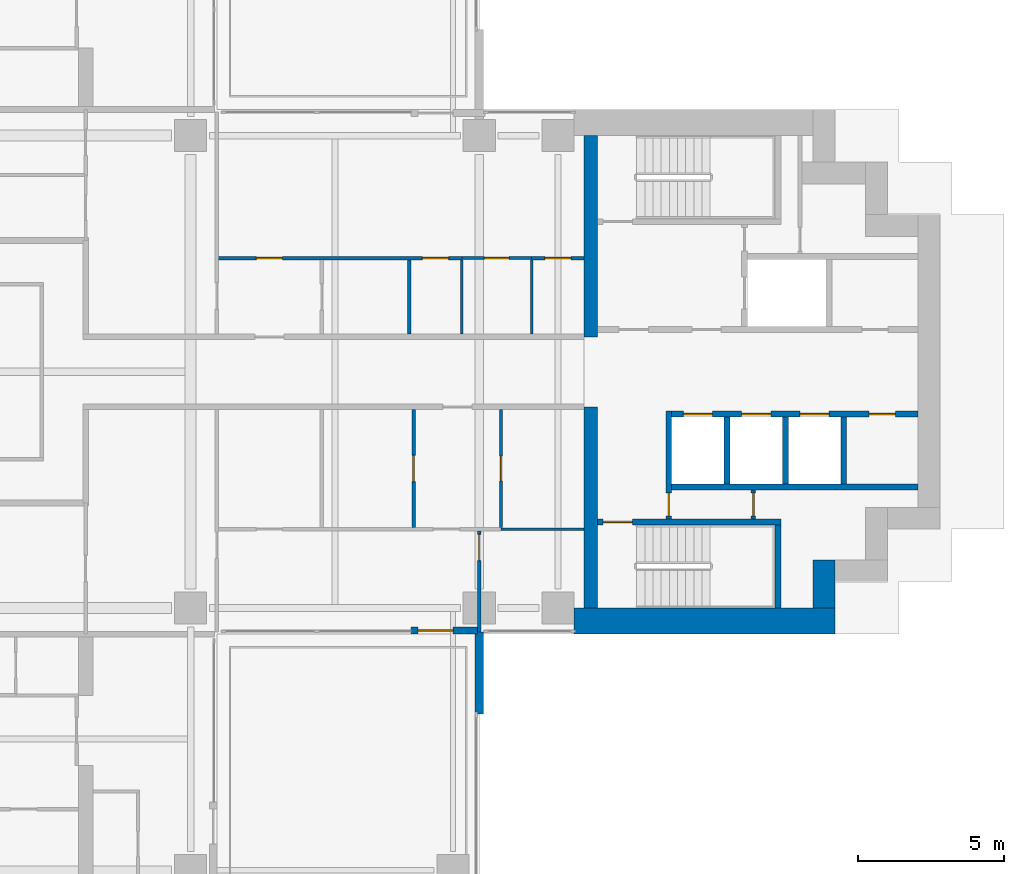
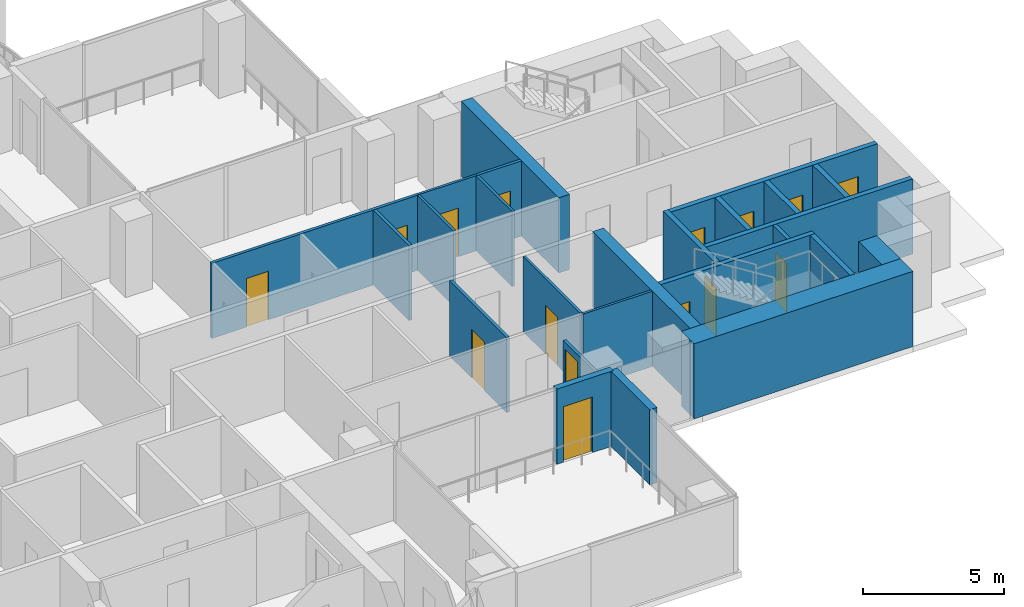
# One storey, part 13 of 20: 25 walls, 15 doors, 15 openings.
"""IFC4 building model written with IfcOpenShell, lengths in metres."""

from ifc_helpers import new_model, si_unit, direction, frame, frame_2d, origin, place, context, subcontext, project, spatial, rectangle, extrude, material, layer, layer_set, type_object, element, fill, save


model = new_model("IFC4")

# Units and contexts
model_context = context("Model", 3, precision=1e-05, world=origin(), true_north=direction((0.0, 1.0)))
body_context = subcontext(model_context, "Body", "Model", "MODEL_VIEW")
ifc_project = project(units=[si_unit("LENGTHUNIT", "METRE"), si_unit("AREAUNIT", "SQUARE_METRE"), si_unit("VOLUMEUNIT", "CUBIC_METRE"), si_unit("PLANEANGLEUNIT", "RADIAN"), si_unit("MASSUNIT", "GRAM", prefix="KILO")], contexts=[model_context])

# Site, building, storey
site_placement = place(None, origin())
site = spatial("IfcSite", under=ifc_project, at=site_placement, CompositionType="ELEMENT")
building_placement = place(site_placement, origin())
building = spatial("IfcBuilding", under=site, at=building_placement, Name="Perihelion Cross Residences", CompositionType="ELEMENT")
storey_placement = place(building_placement, frame((0.0, 0.0, 102.39990234375)))
storey = spatial("IfcBuildingStorey", under=building, at=storey_placement, Name="L23", CompositionType="ELEMENT", Elevation=102.39990234375)

# Wall, opening, door
ifc_material_1 = material(Name="Concrete C30/37, bronze-clad", Category="concrete")
ifc_layer_1 = layer(ifc_material_1, 0.25)
ifc_layer_set_1 = layer_set([ifc_layer_1], Name="Bronze-clad pier wall 250")
wall_type_1 = type_object("IfcWallType", Name="Bronze-clad pier wall 250", PredefinedType="SOLIDWALL", material=ifc_layer_set_1)
wall_1_placement = place(storey_placement, frame((15.64990234375, -8.875, 0.0), z_axis=(0.0, 0.0, 1.0), x_axis=(1.0, 0.0, 0.0)))
wall_1 = element("IfcWall", 1, at=wall_1_placement, inside=storey, type_object=wall_type_1, Name="Wall FW1 L23 east side south bay 1 pier", PredefinedType="SOLIDWALL", context=body_context, shape_type="SweptSolid", body=[
    extrude(rectangle(XDim=2.2900390625, YDim=0.25, at=frame_2d((1.14501953125, 0.0))), origin(), (0.0, 0.0, 1.0), 3.25),
])
opening_1_placement = place(wall_1_placement, frame((0.25, 0.0, 0.0)))
opening_1 = element("IfcOpeningElement", 2, at=opening_1_placement, cuts=wall_1, Name="Opening L23.E14", PredefinedType="OPENING", context=body_context, shape_type="SweptSolid", body=[
    extrude(rectangle(XDim=1.199951171875, YDim=2.39990234375, at=frame_2d((0.60009765625, 1.199951171875))), frame((0.0, 0.135009765625, 0.0), z_axis=(0.0, -1.0, 0.0), x_axis=(1.0, 0.0, 0.0)), (0.0, 0.0, 1.0), 0.27001953125),
])
ifc_material_2 = material(Name="Bronze anodised aluminium, glazed", Category="aluminium")
door_type_1 = type_object("IfcDoorType", Name="Balcony door 1200 x 2400", OperationType="NOTDEFINED", PredefinedType="DOOR", material=ifc_material_2)
door_1_placement = place(opening_1_placement, origin())
door_1 = element("IfcDoor", 3, at=door_1_placement, inside=storey, type_object=door_type_1, Name="Door L23.E14 east side south bay 1", OperationType="SINGLE_SWING_LEFT", OverallHeight=2.39990234375, OverallWidth=1.199951171875, PredefinedType="DOOR", context=body_context, shape_type="SweptSolid", body=[
    extrude(rectangle(XDim=1.199951171875, YDim=2.39990234375, at=frame_2d((0.60009765625, 1.199951171875))), frame((0.0, 0.02490234375, 0.0), z_axis=(0.0, -1.0, 0.0), x_axis=(1.0, 0.0, 0.0)), (0.0, 0.0, 1.0), 0.050048828125),
])
fill(opening_1, door_1)

# Walls
ifc_material_3 = material(Name="Concrete C60/75", Category="concrete")
ifc_layer_2 = layer(ifc_material_3, 0.449951171875)
ifc_layer_set_2 = layer_set([ifc_layer_2], Name="Core wall, inner 450")
wall_type_2 = type_object("IfcWallType", Name="Core wall, inner 450", PredefinedType="SHEAR", material=ifc_layer_set_2)
for number, where, z_axis, x_axis, name in (
    (4, (21.824951171875, -8.10009765625, 0.0), (0.0, 0.0, 1.0), (0.0, 1.0, 0.0), "East core core wall, inner"),
    (5, (21.824951171875, 1.199951171875, 0.0), (0.0, 0.0, 1.0), (0.0, 1.0, 0.0), "East core core wall, inner"),
):
    element("IfcWall", number, at=place(storey_placement, frame(where, z_axis=z_axis, x_axis=x_axis)), inside=storey, type_object=wall_type_2, Name=name, PredefinedType="SHEAR", context=body_context, shape_type="SweptSolid", body=[
        extrude(rectangle(XDim=6.900146484375, YDim=0.449951171875, at=frame_2d((3.4501953125, 0.0))), origin(), (0.0, 0.0, 1.0), 3.25),
    ])
ifc_material_4 = material(Name="Concrete C60/75", Category="concrete")
ifc_layer_3 = layer(ifc_material_4, 0.75)
ifc_layer_set_3 = layer_set([ifc_layer_3], Name="Core wall, outer 750")
wall_type_3 = type_object("IfcWallType", Name="Core wall, outer 750", PredefinedType="SHEAR", material=ifc_layer_set_3)
wall_2_placement = place(storey_placement, frame((29.824951171875, -8.10009765625, 0.0), z_axis=(0.0, 0.0, 1.0), x_axis=(0.0, 1.0, 0.0)))
element("IfcWall", 6, at=wall_2_placement, inside=storey, type_object=wall_type_3, Name="East core core wall, outer", PredefinedType="SHEAR", context=body_context, shape_type="SweptSolid", body=[
    extrude(rectangle(XDim=1.650146484375, YDim=0.75, at=frame_2d((0.8251953125, 0.0))), origin(), (0.0, 0.0, 1.0), 3.25),
])
ifc_material_5 = material(Name="Concrete C60/75", Category="concrete")
ifc_layer_4 = layer(ifc_material_5, 0.89990234375)
ifc_layer_set_4 = layer_set([ifc_layer_4], Name="Core wall, outer 900")
wall_type_4 = type_object("IfcWallType", Name="Core wall, outer 900", PredefinedType="SHEAR", material=ifc_layer_set_4)
wall_3_placement = place(storey_placement, frame((21.25, -8.550048828125, 0.0), z_axis=(0.0, 0.0, 1.0), x_axis=(1.0, 0.0, 0.0)))
element("IfcWall", 7, at=wall_3_placement, inside=storey, type_object=wall_type_4, Name="East core core wall, outer", PredefinedType="SHEAR", context=body_context, shape_type="SweptSolid", body=[
    extrude(rectangle(XDim=8.949951171875, YDim=0.89990234375, at=frame_2d((4.47509765625, 0.0))), origin(), (0.0, 0.0, 1.0), 3.25),
])

# Wall, opening, door
ifc_material_6 = material(Name="Concrete C50/60", Category="concrete")
ifc_layer_5 = layer(ifc_material_6, 0.199951171875)
ifc_layer_set_5 = layer_set([ifc_layer_5], Name="Lobby wall 200")
wall_type_5 = type_object("IfcWallType", Name="Lobby wall 200", PredefinedType="SOLIDWALL", material=ifc_layer_set_5)
wall_4_placement = place(storey_placement, frame((24.5, -5.050048828125, 0.0), z_axis=(0.0, 0.0, 1.0), x_axis=(0.0, 1.0, 0.0)))
wall_4 = element("IfcWall", 8, at=wall_4_placement, inside=storey, type_object=wall_type_5, Name="East core lobby wall", PredefinedType="SOLIDWALL", context=body_context, shape_type="SweptSolid", body=[
    extrude(rectangle(XDim=3.699951171875, YDim=0.199951171875, at=frame_2d((1.85009765625, 0.0))), origin(), (0.0, 0.0, 1.0), 3.25),
])
opening_2_placement = place(wall_4_placement, frame((0.10009765625, 0.0, 0.0)))
opening_2 = element("IfcOpeningElement", 9, at=opening_2_placement, cuts=wall_4, Name="Opening L23.C08", PredefinedType="OPENING", context=body_context, shape_type="SweptSolid", body=[
    extrude(rectangle(XDim=0.800048828125, YDim=2.10009765625, at=frame_2d((0.39990234375, 1.050048828125))), frame((0.0, 0.10986328125, 0.0), z_axis=(0.0, -1.0, 0.0), x_axis=(1.0, 0.0, 0.0)), (0.0, 0.0, 1.0), 0.219970703125),
])
ifc_material_7 = material(Name="Steel, powder coated", Category="steel")
door_type_2 = type_object("IfcDoorType", Name="Riser door 800", OperationType="SINGLE_SWING_LEFT", PredefinedType="DOOR", material=ifc_material_7)
door_2_placement = place(opening_2_placement, origin())
door_2 = element("IfcDoor", 10, at=door_2_placement, inside=storey, type_object=door_type_2, Name="East core riser door", OperationType="SINGLE_SWING_LEFT", OverallHeight=2.10009765625, OverallWidth=0.800048828125, PredefinedType="DOOR", context=body_context, shape_type="SweptSolid", body=[
    extrude(rectangle(XDim=0.800048828125, YDim=2.10009765625, at=frame_2d((0.39990234375, 1.050048828125))), frame((0.0, 0.02490234375, 0.0), z_axis=(0.0, -1.0, 0.0), x_axis=(1.0, 0.0, 0.0)), (0.0, 0.0, 1.0), 0.050048828125),
])
fill(opening_2, door_2)

# Wall, openings, doors
ifc_material_8 = material(Name="Plasterboard partition")
ifc_layer_6 = layer(ifc_material_8, 0.1201171875)
ifc_layer_set_6 = layer_set([ifc_layer_6], Name="Partition wall 120")
wall_type_6 = type_object("IfcWallType", Name="Partition wall 120", PredefinedType="PARTITIONING", material=ifc_layer_set_6)
wall_5_placement = place(storey_placement, frame((8.93994140625, 3.89990234375, 0.0), z_axis=(0.0, 0.0, 1.0), x_axis=(1.0, 0.0, 0.0)))
wall_5 = element("IfcWall", 11, at=wall_5_placement, inside=storey, type_object=wall_type_6, Name="Partition L23 W024", PredefinedType="PARTITIONING", context=body_context, shape_type="SweptSolid", body=[
    extrude(rectangle(XDim=8.4599609375, YDim=0.1201171875, at=frame_2d((4.22998046875, 0.0))), origin(), (0.0, 0.0, 1.0), 3.25),
])
opening_3_placement = place(wall_5_placement, frame((7.110107421875, 0.0, 0.0)))
opening_3 = element("IfcOpeningElement", 12, at=opening_3_placement, cuts=wall_5, Name="Opening L23.A07", PredefinedType="OPENING", context=body_context, shape_type="SweptSolid", body=[
    extrude(rectangle(XDim=0.89990234375, YDim=2.10009765625, at=frame_2d((0.449951171875, 1.050048828125))), frame((0.0, 0.070068359375, 0.0), z_axis=(0.0, -1.0, 0.0), x_axis=(1.0, 0.0, 0.0)), (0.0, 0.0, 1.0), 0.14013671875),
])
opening_4_placement = place(wall_5_placement, frame((1.409912109375, 0.0, 0.0)))
opening_4 = element("IfcOpeningElement", 13, at=opening_4_placement, cuts=wall_5, Name="Opening L23.A09", PredefinedType="OPENING", context=body_context, shape_type="SweptSolid", body=[
    extrude(rectangle(XDim=0.89990234375, YDim=2.10009765625, at=frame_2d((0.449951171875, 1.050048828125))), frame((0.0, 0.070068359375, 0.0), z_axis=(0.0, -1.0, 0.0), x_axis=(1.0, 0.0, 0.0)), (0.0, 0.0, 1.0), 0.14013671875),
])
ifc_material_9 = material(Name="Timber door leaf", Category="wood")
door_type_3 = type_object("IfcDoorType", Name="Interior room door 900 x 2100", OperationType="SINGLE_SWING_LEFT", PredefinedType="DOOR", material=ifc_material_9)
door_3_placement = place(opening_3_placement, origin())
door_3 = element("IfcDoor", 14, at=door_3_placement, inside=storey, type_object=door_type_3, Name="Door L23.A07", OperationType="SINGLE_SWING_RIGHT", OverallHeight=2.10009765625, OverallWidth=0.89990234375, PredefinedType="DOOR", context=body_context, shape_type="SweptSolid", body=[
    extrude(rectangle(XDim=0.89990234375, YDim=2.10009765625, at=frame_2d((0.449951171875, 1.050048828125))), frame((0.0, 0.02490234375, 0.0), z_axis=(0.0, -1.0, 0.0), x_axis=(1.0, 0.0, 0.0)), (0.0, 0.0, 1.0), 0.050048828125),
])
fill(opening_3, door_3)
door_4_placement = place(opening_4_placement, origin())
door_4 = element("IfcDoor", 15, at=door_4_placement, inside=storey, type_object=door_type_3, Name="Door L23.A09", OperationType="SINGLE_SWING_RIGHT", OverallHeight=2.10009765625, OverallWidth=0.89990234375, PredefinedType="DOOR", context=body_context, shape_type="SweptSolid", body=[
    extrude(rectangle(XDim=0.89990234375, YDim=2.10009765625, at=frame_2d((0.449951171875, 1.050048828125))), frame((0.0, 0.02490234375, 0.0), z_axis=(0.0, -1.0, 0.0), x_axis=(1.0, 0.0, 0.0)), (0.0, 0.0, 1.0), 0.050048828125),
])
fill(opening_4, door_4)

# Wall
wall_6_placement = place(storey_placement, frame((15.60009765625, 3.840087890625, 0.0), z_axis=(0.0, 0.0, 1.0), x_axis=(0.0, -1.0, 0.0)))
element("IfcWall", 16, at=wall_6_placement, inside=storey, type_object=wall_type_6, Name="Partition L23 W026", PredefinedType="PARTITIONING", context=body_context, shape_type="SweptSolid", body=[
    extrude(rectangle(XDim=2.5400390625, YDim=0.1201171875, at=frame_2d((1.27001953125, 0.0))), origin(), (0.0, 0.0, 1.0), 3.25),
])

# Wall, opening, door
wall_7_placement = place(storey_placement, frame((19.800048828125, 3.89990234375, 0.0), z_axis=(0.0, 0.0, 1.0), x_axis=(1.0, 0.0, 0.0)))
wall_7 = element("IfcWall", 17, at=wall_7_placement, inside=storey, type_object=wall_type_6, Name="Partition L23 W030", PredefinedType="PARTITIONING", context=body_context, shape_type="SweptSolid", body=[
    extrude(rectangle(XDim=1.800048828125, YDim=0.1201171875, at=frame_2d((0.89990234375, 0.0))), origin(), (0.0, 0.0, 1.0), 3.25),
])
opening_5_placement = place(wall_7_placement, frame((0.449951171875, 0.0, 0.0)))
opening_5 = element("IfcOpeningElement", 18, at=opening_5_placement, cuts=wall_7, Name="Opening L23.A03", PredefinedType="OPENING", context=body_context, shape_type="SweptSolid", body=[
    extrude(rectangle(XDim=0.89990234375, YDim=2.10009765625, at=frame_2d((0.449951171875, 1.050048828125))), frame((0.0, 0.070068359375, 0.0), z_axis=(0.0, -1.0, 0.0), x_axis=(1.0, 0.0, 0.0)), (0.0, 0.0, 1.0), 0.14013671875),
])
door_5_placement = place(opening_5_placement, origin())
door_5 = element("IfcDoor", 19, at=door_5_placement, inside=storey, type_object=door_type_3, Name="Door L23.A03", OperationType="SINGLE_SWING_RIGHT", OverallHeight=2.10009765625, OverallWidth=0.89990234375, PredefinedType="DOOR", context=body_context, shape_type="SweptSolid", body=[
    extrude(rectangle(XDim=0.89990234375, YDim=2.10009765625, at=frame_2d((0.449951171875, 1.050048828125))), frame((0.0, 0.02490234375, 0.0), z_axis=(0.0, -1.0, 0.0), x_axis=(1.0, 0.0, 0.0)), (0.0, 0.0, 1.0), 0.050048828125),
])
fill(opening_5, door_5)

wall_8_placement = place(storey_placement, frame((15.75, -1.300048828125, 0.0), z_axis=(0.0, 0.0, 1.0), x_axis=(0.0, -1.0, 0.0)))
wall_8 = element("IfcWall", 20, at=wall_8_placement, inside=storey, type_object=wall_type_6, Name="Partition L23 W037", PredefinedType="PARTITIONING", context=body_context, shape_type="SweptSolid", body=[
    extrude(rectangle(XDim=4.0400390625, YDim=0.1201171875, at=frame_2d((2.02001953125, 0.0))), origin(), (0.0, 0.0, 1.0), 3.25),
])
opening_6_placement = place(wall_8_placement, frame((1.570068359375, 0.0, 0.0)))
opening_6 = element("IfcOpeningElement", 21, at=opening_6_placement, cuts=wall_8, Name="Opening L23.A16", PredefinedType="OPENING", context=body_context, shape_type="SweptSolid", body=[
    extrude(rectangle(XDim=0.89990234375, YDim=2.10009765625, at=frame_2d((0.449951171875, 1.050048828125))), frame((0.0, 0.070068359375, 0.0), z_axis=(0.0, -1.0, 0.0), x_axis=(1.0, 0.0, 0.0)), (0.0, 0.0, 1.0), 0.14013671875),
])
door_6_placement = place(opening_6_placement, origin())
door_6 = element("IfcDoor", 22, at=door_6_placement, inside=storey, type_object=door_type_3, Name="Door L23.A16", OperationType="SINGLE_SWING_RIGHT", OverallHeight=2.10009765625, OverallWidth=0.89990234375, PredefinedType="DOOR", context=body_context, shape_type="SweptSolid", body=[
    extrude(rectangle(XDim=0.89990234375, YDim=2.10009765625, at=frame_2d((0.449951171875, 1.050048828125))), frame((0.0, 0.02490234375, 0.0), z_axis=(0.0, -1.0, 0.0), x_axis=(1.0, 0.0, 0.0)), (0.0, 0.0, 1.0), 0.050048828125),
])
fill(opening_6, door_6)

wall_9_placement = place(storey_placement, frame((18.0, -5.4599609375, 0.0), z_axis=(0.0, 0.0, 1.0), x_axis=(0.0, -1.0, 0.0)))
wall_9 = element("IfcWall", 23, at=wall_9_placement, inside=storey, type_object=wall_type_6, Name="Partition L23 W040", PredefinedType="PARTITIONING", context=body_context, shape_type="SweptSolid", body=[
    extrude(rectangle(XDim=3.4599609375, YDim=0.1201171875, at=frame_2d((1.72998046875, 0.0))), origin(), (0.0, 0.0, 1.0), 2.4140625),
])
opening_7_placement = place(wall_9_placement, frame((0.1201171875, 0.0, 0.0)))
opening_7 = element("IfcOpeningElement", 24, at=opening_7_placement, cuts=wall_9, Name="Opening L23.A10", PredefinedType="OPENING", context=body_context, shape_type="SweptSolid", body=[
    extrude(rectangle(XDim=0.89990234375, YDim=2.10009765625, at=frame_2d((0.449951171875, 1.050048828125))), frame((0.0, 0.070068359375, 0.0), z_axis=(0.0, -1.0, 0.0), x_axis=(1.0, 0.0, 0.0)), (0.0, 0.0, 1.0), 0.14013671875),
])
door_7_placement = place(opening_7_placement, origin())
door_7 = element("IfcDoor", 25, at=door_7_placement, inside=storey, type_object=door_type_3, Name="Door L23.A10", OperationType="SINGLE_SWING_LEFT", OverallHeight=2.10009765625, OverallWidth=0.89990234375, PredefinedType="DOOR", context=body_context, shape_type="SweptSolid", body=[
    extrude(rectangle(XDim=0.89990234375, YDim=2.10009765625, at=frame_2d((0.449951171875, 1.050048828125))), frame((0.0, 0.02490234375, 0.0), z_axis=(0.0, -1.0, 0.0), x_axis=(1.0, 0.0, 0.0)), (0.0, 0.0, 1.0), 0.050048828125),
])
fill(opening_7, door_7)

# Wall
ifc_material_10 = material(Name="Precast concrete C50/60", Category="concrete")
ifc_layer_7 = layer(ifc_material_10, 0.300048828125)
ifc_layer_set_7 = layer_set([ifc_layer_7], Name="Precast concrete C50/60 blade wall 300")
wall_type_7 = type_object("IfcWallType", Name="Precast concrete C50/60 blade wall 300", PredefinedType="SOLIDWALL", material=ifc_layer_set_7)
wall_10_placement = place(storey_placement, frame((18.0, -8.919921875, 0.0), z_axis=(0.0, 0.0, 1.0), x_axis=(0.0, -1.0, 0.0)))
element("IfcWall", 26, at=wall_10_placement, inside=storey, type_object=wall_type_7, Name="Wall BL1 L23 no. 10", PredefinedType="SOLIDWALL", context=body_context, shape_type="SweptSolid", body=[
    extrude(rectangle(XDim=2.820068359375, YDim=0.300048828125, at=frame_2d((1.41015625, 0.0))), origin(), (0.0, 0.0, 1.0), 3.25),
])

# Wall, opening, door
ifc_material_11 = material(Name="Fire-rated board on steel stud", Category="steel")
ifc_layer_8 = layer(ifc_material_11, 0.14990234375)
ifc_layer_set_8 = layer_set([ifc_layer_8], Name="Riser wall 150")
wall_type_8 = type_object("IfcWallType", Name="Riser wall 150", PredefinedType="PARTITIONING", material=ifc_layer_set_8)
wall_11_placement = place(storey_placement, frame((27.39990234375, -5.050048828125, 0.0), z_axis=(0.0, 0.0, 1.0), x_axis=(0.0, 1.0, 0.0)))
wall_11 = element("IfcWall", 27, at=wall_11_placement, inside=storey, type_object=wall_type_8, Name="East core riser wall", PredefinedType="PARTITIONING", context=body_context, shape_type="SweptSolid", body=[
    extrude(rectangle(XDim=1.0, YDim=0.14990234375, at=frame_2d((0.5, 0.0))), origin(), (0.0, 0.0, 1.0), 3.25),
])
opening_8_placement = place(wall_11_placement, frame((0.10009765625, 0.0, 0.0)))
opening_8 = element("IfcOpeningElement", 28, at=opening_8_placement, cuts=wall_11, Name="Opening L23.C11", PredefinedType="OPENING", context=body_context, shape_type="SweptSolid", body=[
    extrude(rectangle(XDim=0.800048828125, YDim=2.10009765625, at=frame_2d((0.39990234375, 1.050048828125))), frame((0.0, 0.0849609375, 0.0), z_axis=(0.0, -1.0, 0.0), x_axis=(1.0, 0.0, 0.0)), (0.0, 0.0, 1.0), 0.169921875),
])
door_8_placement = place(opening_8_placement, origin())
door_8 = element("IfcDoor", 29, at=door_8_placement, inside=storey, type_object=door_type_2, Name="East core riser door", OperationType="SINGLE_SWING_LEFT", OverallHeight=2.10009765625, OverallWidth=0.800048828125, PredefinedType="DOOR", context=body_context, shape_type="SweptSolid", body=[
    extrude(rectangle(XDim=0.800048828125, YDim=2.10009765625, at=frame_2d((0.39990234375, 1.050048828125))), frame((0.0, 0.02490234375, 0.0), z_axis=(0.0, -1.0, 0.0), x_axis=(1.0, 0.0, 0.0)), (0.0, 0.0, 1.0), 0.050048828125),
])
fill(opening_8, door_8)

# Wall, openings, doors
ifc_material_12 = material(Name="Concrete C50/60", Category="concrete")
ifc_layer_9 = layer(ifc_material_12, 0.199951171875)
ifc_layer_set_9 = layer_set([ifc_layer_9], Name="Shaft wall 200")
wall_type_9 = type_object("IfcWallType", Name="Shaft wall 200", PredefinedType="SOLIDWALL", material=ifc_layer_set_9)
wall_12_placement = place(storey_placement, frame((24.60009765625, -1.449951171875, 0.0), z_axis=(0.0, 0.0, 1.0), x_axis=(1.0, 0.0, 0.0)))
wall_12 = element("IfcWall", 30, at=wall_12_placement, inside=storey, type_object=wall_type_9, Name="East core shaft wall", PredefinedType="SOLIDWALL", context=body_context, shape_type="SweptSolid", body=[
    extrude(rectangle(XDim=8.449951171875, YDim=0.199951171875, at=frame_2d((4.22509765625, 0.0))), origin(), (0.0, 0.0, 1.0), 3.25),
])
opening_9_placement = place(wall_12_placement, frame((0.39990234375, 0.0, 0.0)))
opening_9 = element("IfcOpeningElement", 31, at=opening_9_placement, cuts=wall_12, Name="Opening L23.C01", PredefinedType="OPENING", context=body_context, shape_type="SweptSolid", body=[
    extrude(rectangle(XDim=1.0, YDim=2.10009765625, at=frame_2d((0.5, 1.050048828125))), frame((0.0, 0.10986328125, 0.0), z_axis=(0.0, -1.0, 0.0), x_axis=(1.0, 0.0, 0.0)), (0.0, 0.0, 1.0), 0.219970703125),
])
opening_10_placement = place(wall_12_placement, frame((2.39990234375, 0.0, 0.0)))
opening_10 = element("IfcOpeningElement", 32, at=opening_10_placement, cuts=wall_12, Name="Opening L23.C03", PredefinedType="OPENING", context=body_context, shape_type="SweptSolid", body=[
    extrude(rectangle(XDim=1.0, YDim=2.10009765625, at=frame_2d((0.5, 1.050048828125))), frame((0.0, 0.10986328125, 0.0), z_axis=(0.0, -1.0, 0.0), x_axis=(1.0, 0.0, 0.0)), (0.0, 0.0, 1.0), 0.219970703125),
])
opening_11_placement = place(wall_12_placement, frame((4.39990234375, 0.0, 0.0)))
opening_11 = element("IfcOpeningElement", 33, at=opening_11_placement, cuts=wall_12, Name="Opening L23.C04", PredefinedType="OPENING", context=body_context, shape_type="SweptSolid", body=[
    extrude(rectangle(XDim=1.0, YDim=2.10009765625, at=frame_2d((0.5, 1.050048828125))), frame((0.0, 0.10986328125, 0.0), z_axis=(0.0, -1.0, 0.0), x_axis=(1.0, 0.0, 0.0)), (0.0, 0.0, 1.0), 0.219970703125),
])
opening_12_placement = place(wall_12_placement, frame((6.77490234375, 0.0, 0.0)))
opening_12 = element("IfcOpeningElement", 34, at=opening_12_placement, cuts=wall_12, Name="Opening L23.C14", PredefinedType="OPENING", context=body_context, shape_type="SweptSolid", body=[
    extrude(rectangle(XDim=0.89990234375, YDim=2.10009765625, at=frame_2d((0.449951171875, 1.050048828125))), frame((0.0, 0.10986328125, 0.0), z_axis=(0.0, -1.0, 0.0), x_axis=(1.0, 0.0, 0.0)), (0.0, 0.0, 1.0), 0.219970703125),
])
ifc_material_13 = material(Name="Stainless steel", Category="steel")
door_type_4 = type_object("IfcDoorType", Name="Landing door 1000", OperationType="DOUBLE_DOOR_SLIDING", PredefinedType="DOOR", material=ifc_material_13)
door_9_placement = place(opening_9_placement, origin())
door_9 = element("IfcDoor", 35, at=door_9_placement, inside=storey, type_object=door_type_4, Name="Landing door, East core high-rise lift 1", OperationType="DOUBLE_DOOR_SLIDING", OverallHeight=2.10009765625, OverallWidth=1.0, PredefinedType="DOOR", context=body_context, shape_type="SweptSolid", body=[
    extrude(rectangle(XDim=1.0, YDim=2.10009765625, at=frame_2d((0.5, 1.050048828125))), frame((0.0, 0.02490234375, 0.0), z_axis=(0.0, -1.0, 0.0), x_axis=(1.0, 0.0, 0.0)), (0.0, 0.0, 1.0), 0.050048828125),
])
fill(opening_9, door_9)
door_10_placement = place(opening_10_placement, origin())
door_10 = element("IfcDoor", 36, at=door_10_placement, inside=storey, type_object=door_type_4, Name="Landing door, East core high-rise lift 2", OperationType="DOUBLE_DOOR_SLIDING", OverallHeight=2.10009765625, OverallWidth=1.0, PredefinedType="DOOR", context=body_context, shape_type="SweptSolid", body=[
    extrude(rectangle(XDim=1.0, YDim=2.10009765625, at=frame_2d((0.5, 1.050048828125))), frame((0.0, 0.02490234375, 0.0), z_axis=(0.0, -1.0, 0.0), x_axis=(1.0, 0.0, 0.0)), (0.0, 0.0, 1.0), 0.050048828125),
])
fill(opening_10, door_10)
door_11_placement = place(opening_11_placement, origin())
door_11 = element("IfcDoor", 37, at=door_11_placement, inside=storey, type_object=door_type_4, Name="Landing door, East core high-rise lift 3", OperationType="DOUBLE_DOOR_SLIDING", OverallHeight=2.10009765625, OverallWidth=1.0, PredefinedType="DOOR", context=body_context, shape_type="SweptSolid", body=[
    extrude(rectangle(XDim=1.0, YDim=2.10009765625, at=frame_2d((0.5, 1.050048828125))), frame((0.0, 0.02490234375, 0.0), z_axis=(0.0, -1.0, 0.0), x_axis=(1.0, 0.0, 0.0)), (0.0, 0.0, 1.0), 0.050048828125),
])
fill(opening_11, door_11)
ifc_material_14 = material(Name="Steel, powder coated", Category="steel")
door_type_5 = type_object("IfcDoorType", Name="Service room door 900", OperationType="SINGLE_SWING_LEFT", PredefinedType="DOOR", material=ifc_material_14)
door_12_placement = place(opening_12_placement, origin())
door_12 = element("IfcDoor", 38, at=door_12_placement, inside=storey, type_object=door_type_5, Name="East core service room door", OperationType="SINGLE_SWING_LEFT", OverallHeight=2.10009765625, OverallWidth=0.89990234375, PredefinedType="DOOR", context=body_context, shape_type="SweptSolid", body=[
    extrude(rectangle(XDim=0.89990234375, YDim=2.10009765625, at=frame_2d((0.449951171875, 1.050048828125))), frame((0.0, 0.02490234375, 0.0), z_axis=(0.0, -1.0, 0.0), x_axis=(1.0, 0.0, 0.0)), (0.0, 0.0, 1.0), 0.050048828125),
])
fill(opening_12, door_12)

# Walls
wall_13_placement = place(storey_placement, frame((24.60009765625, -3.949951171875, 0.0), z_axis=(0.0, 0.0, 1.0), x_axis=(1.0, 0.0, 0.0)))
element("IfcWall", 39, at=wall_13_placement, inside=storey, type_object=wall_type_9, Name="East core shaft wall", PredefinedType="SOLIDWALL", context=body_context, shape_type="SweptSolid", body=[
    extrude(rectangle(XDim=8.449951171875, YDim=0.199951171875, at=frame_2d((4.22509765625, 0.0))), origin(), (0.0, 0.0, 1.0), 3.25),
])
for number, where, z_axis, x_axis, name in (
    (40, (26.5, -3.85009765625, 0.0), (0.0, 0.0, 1.0), (0.0, 1.0, 0.0), "East core shaft wall"),
    (41, (28.5, -3.85009765625, 0.0), (0.0, 0.0, 1.0), (0.0, 1.0, 0.0), "East core shaft wall"),
    (42, (30.5, -3.85009765625, 0.0), (0.0, 0.0, 1.0), (0.0, 1.0, 0.0), "East core shaft wall"),
):
    element("IfcWall", number, at=place(storey_placement, frame(where, z_axis=z_axis, x_axis=x_axis)), inside=storey, type_object=wall_type_9, Name=name, PredefinedType="SOLIDWALL", context=body_context, shape_type="SweptSolid", body=[
        extrude(rectangle(XDim=2.300048828125, YDim=0.199951171875, at=frame_2d((1.14990234375, 0.0))), origin(), (0.0, 0.0, 1.0), 3.25),
    ])

# Wall, opening, door
ifc_material_15 = material(Name="Concrete C50/60", Category="concrete")
ifc_layer_10 = layer(ifc_material_15, 0.199951171875)
ifc_layer_set_10 = layer_set([ifc_layer_10], Name="Stair wall 200")
wall_type_10 = type_object("IfcWallType", Name="Stair wall 200", PredefinedType="SOLIDWALL", material=ifc_layer_set_10)
wall_14_placement = place(storey_placement, frame((22.050048828125, -5.14990234375, 0.0), z_axis=(0.0, 0.0, 1.0), x_axis=(1.0, 0.0, 0.0)))
wall_14 = element("IfcWall", 43, at=wall_14_placement, inside=storey, type_object=wall_type_10, Name="East core stair wall", PredefinedType="SOLIDWALL", context=body_context, shape_type="SweptSolid", body=[
    extrude(rectangle(XDim=6.300048828125, YDim=0.199951171875, at=frame_2d((3.14990234375, 0.0))), origin(), (0.0, 0.0, 1.0), 3.25),
])
opening_13_placement = place(wall_14_placement, frame((0.199951171875, 0.0, 0.0)))
opening_13 = element("IfcOpeningElement", 44, at=opening_13_placement, cuts=wall_14, Name="Opening L23.C05", PredefinedType="OPENING", context=body_context, shape_type="SweptSolid", body=[
    extrude(rectangle(XDim=1.0, YDim=2.10009765625, at=frame_2d((0.5, 1.050048828125))), frame((0.0, 0.10986328125, 0.0), z_axis=(0.0, -1.0, 0.0), x_axis=(1.0, 0.0, 0.0)), (0.0, 0.0, 1.0), 0.219970703125),
])
ifc_material_16 = material(Name="Steel, powder coated", Category="steel")
door_type_6 = type_object("IfcDoorType", Name="Stair door 1000", OperationType="SINGLE_SWING_LEFT", PredefinedType="DOOR", material=ifc_material_16)
door_13_placement = place(opening_13_placement, origin())
door_13 = element("IfcDoor", 45, at=door_13_placement, inside=storey, type_object=door_type_6, Name="East core stair door", OperationType="SINGLE_SWING_LEFT", OverallHeight=2.10009765625, OverallWidth=1.0, PredefinedType="DOOR", context=body_context, shape_type="SweptSolid", body=[
    extrude(rectangle(XDim=1.0, YDim=2.10009765625, at=frame_2d((0.5, 1.050048828125))), frame((0.0, 0.02490234375, 0.0), z_axis=(0.0, -1.0, 0.0), x_axis=(1.0, 0.0, 0.0)), (0.0, 0.0, 1.0), 0.050048828125),
])
fill(opening_13, door_13)

# Walls
wall_15_placement = place(storey_placement, frame((28.25, -8.10009765625, 0.0), z_axis=(0.0, 0.0, 1.0), x_axis=(0.0, 1.0, 0.0)))
element("IfcWall", 46, at=wall_15_placement, inside=storey, type_object=wall_type_10, Name="East core stair wall", PredefinedType="SOLIDWALL", context=body_context, shape_type="SweptSolid", body=[
    extrude(rectangle(XDim=2.85009765625, YDim=0.199951171875, at=frame_2d((1.425048828125, 0.0))), origin(), (0.0, 0.0, 1.0), 3.25),
])
ifc_material_17 = material(Name="Plasterboard partition")
ifc_layer_11 = layer(ifc_material_17, 0.10009765625)
ifc_layer_set_11 = layer_set([ifc_layer_11], Name="Wet room wall 100")
wall_type_11 = type_object("IfcWallType", Name="Wet room wall 100", PredefinedType="PARTITIONING", material=ifc_layer_set_11)
for number, where, z_axis, x_axis, name in (
    (47, (17.39990234375, 3.840087890625, 0.0), (0.0, 0.0, 1.0), (0.0, -1.0, 0.0), "Partition L23 W027"),
    (48, (19.800048828125, 3.840087890625, 0.0), (0.0, 0.0, 1.0), (0.0, -1.0, 0.0), "Partition L23 W028"),
):
    element("IfcWall", number, at=place(storey_placement, frame(where, z_axis=z_axis, x_axis=x_axis)), inside=storey, type_object=wall_type_11, Name=name, PredefinedType="PARTITIONING", context=body_context, shape_type="SweptSolid", body=[
        extrude(rectangle(XDim=2.5400390625, YDim=0.10009765625, at=frame_2d((1.27001953125, 0.0))), origin(), (0.0, 0.0, 1.0), 3.25),
    ])

# Wall, opening, door
wall_16_placement = place(storey_placement, frame((17.39990234375, 3.89990234375, 0.0), z_axis=(0.0, 0.0, 1.0), x_axis=(1.0, 0.0, 0.0)))
wall_16 = element("IfcWall", 49, at=wall_16_placement, inside=storey, type_object=wall_type_11, Name="Partition L23 W029", PredefinedType="PARTITIONING", context=body_context, shape_type="SweptSolid", body=[
    extrude(rectangle(XDim=2.400146484375, YDim=0.10009765625, at=frame_2d((1.2001953125, 0.0))), origin(), (0.0, 0.0, 1.0), 3.25),
])
opening_14_placement = place(wall_16_placement, frame((0.77490234375, 0.0, 0.0)))
opening_14 = element("IfcOpeningElement", 50, at=opening_14_placement, cuts=wall_16, Name="Opening L23.A02", PredefinedType="OPENING", context=body_context, shape_type="SweptSolid", body=[
    extrude(rectangle(XDim=0.85009765625, YDim=2.10009765625, at=frame_2d((0.425048828125, 1.050048828125))), frame((0.0, 0.06005859375, 0.0), z_axis=(0.0, -1.0, 0.0), x_axis=(1.0, 0.0, 0.0)), (0.0, 0.0, 1.0), 0.1201171875),
])
ifc_material_18 = material(Name="Timber door leaf", Category="wood")
door_type_7 = type_object("IfcDoorType", Name="Interior bathroom door 850 x 2100", OperationType="SINGLE_SWING_LEFT", PredefinedType="DOOR", material=ifc_material_18)
door_14_placement = place(opening_14_placement, origin())
door_14 = element("IfcDoor", 51, at=door_14_placement, inside=storey, type_object=door_type_7, Name="Door L23.A02", OperationType="SINGLE_SWING_RIGHT", OverallHeight=2.10009765625, OverallWidth=0.85009765625, PredefinedType="DOOR", context=body_context, shape_type="SweptSolid", body=[
    extrude(rectangle(XDim=0.85009765625, YDim=2.10009765625, at=frame_2d((0.425048828125, 1.050048828125))), frame((0.0, 0.02490234375, 0.0), z_axis=(0.0, -1.0, 0.0), x_axis=(1.0, 0.0, 0.0)), (0.0, 0.0, 1.0), 0.050048828125),
])
fill(opening_14, door_14)

wall_17_placement = place(storey_placement, frame((18.75, -1.300048828125, 0.0), z_axis=(0.0, 0.0, 1.0), x_axis=(0.0, -1.0, 0.0)))
wall_17 = element("IfcWall", 52, at=wall_17_placement, inside=storey, type_object=wall_type_11, Name="Partition L23 W038", PredefinedType="PARTITIONING", context=body_context, shape_type="SweptSolid", body=[
    extrude(rectangle(XDim=4.0400390625, YDim=0.10009765625, at=frame_2d((2.02001953125, 0.0))), origin(), (0.0, 0.0, 1.0), 3.25),
])
opening_15_placement = place(wall_17_placement, frame((1.594970703125, 0.0, 0.0)))
opening_15 = element("IfcOpeningElement", 53, at=opening_15_placement, cuts=wall_17, Name="Opening L23.A12", PredefinedType="OPENING", context=body_context, shape_type="SweptSolid", body=[
    extrude(rectangle(XDim=0.85009765625, YDim=2.10009765625, at=frame_2d((0.425048828125, 1.050048828125))), frame((0.0, 0.06005859375, 0.0), z_axis=(0.0, -1.0, 0.0), x_axis=(1.0, 0.0, 0.0)), (0.0, 0.0, 1.0), 0.1201171875),
])
door_15_placement = place(opening_15_placement, origin())
door_15 = element("IfcDoor", 54, at=door_15_placement, inside=storey, type_object=door_type_7, Name="Door L23.A12", OperationType="SINGLE_SWING_RIGHT", OverallHeight=2.10009765625, OverallWidth=0.85009765625, PredefinedType="DOOR", context=body_context, shape_type="SweptSolid", body=[
    extrude(rectangle(XDim=0.85009765625, YDim=2.10009765625, at=frame_2d((0.425048828125, 1.050048828125))), frame((0.0, 0.02490234375, 0.0), z_axis=(0.0, -1.0, 0.0), x_axis=(1.0, 0.0, 0.0)), (0.0, 0.0, 1.0), 0.050048828125),
])
fill(opening_15, door_15)

# Wall
wall_18_placement = place(storey_placement, frame((21.60009765625, -5.39990234375, 0.0), z_axis=(0.0, 0.0, 1.0), x_axis=(-1.0, 0.0, 0.0)))
element("IfcWall", 55, at=wall_18_placement, inside=storey, type_object=wall_type_11, Name="Partition L23 W039", PredefinedType="PARTITIONING", context=body_context, shape_type="SweptSolid", body=[
    extrude(rectangle(XDim=2.85009765625, YDim=0.10009765625, at=frame_2d((1.425048828125, 0.0))), origin(), (0.0, 0.0, 1.0), 3.25),
])

save(model, "model.ifc")
